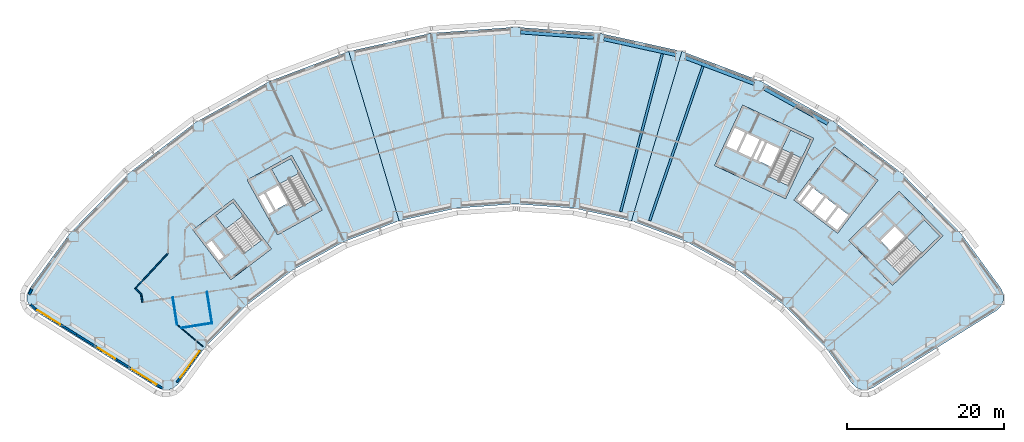
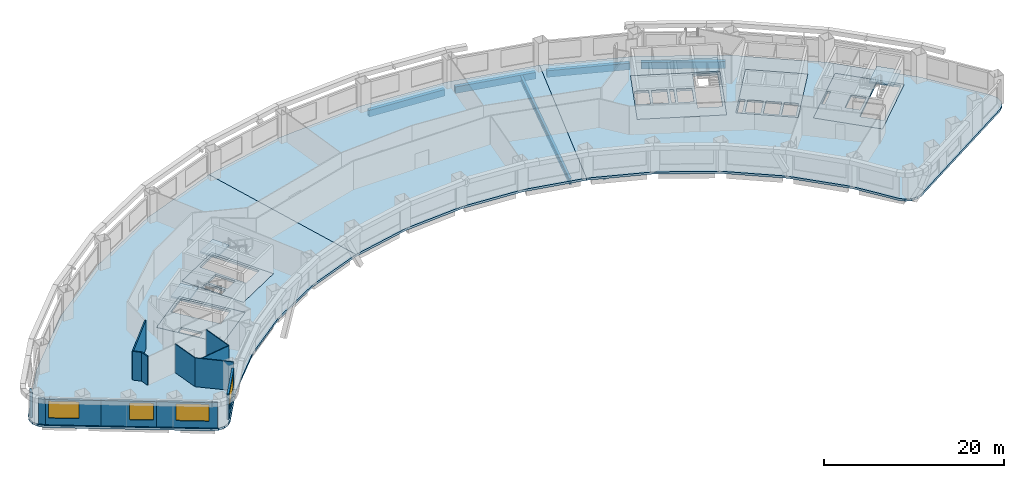
# One storey, part 2 of 14: 13 walls, 12 slabs, 6 beams, 4 windows, 4 openings, 4 elements without a shape of their own.
"""IFC4 building model written with IfcOpenShell, lengths in metres."""

from ifc_helpers import new_model, si_unit, direction, frame, frame_2d, origin, origin_2d, place, context, subcontext, project, spatial, polyline, rectangle, hollow_rectangle, i_section, outline, extrude, material, layer, layer_set, material_profile, profile_set, type_object, element, fill, aggregate, save


model = new_model("IFC4")

# Units and contexts
model_context = context("Model", 3, precision=1e-05, world=origin(), true_north=direction((0.0, 1.0)))
body_context = subcontext(model_context, "Body", "Model", "MODEL_VIEW")
ifc_project = project(units=[si_unit("LENGTHUNIT", "METRE"), si_unit("AREAUNIT", "SQUARE_METRE"), si_unit("VOLUMEUNIT", "CUBIC_METRE"), si_unit("PLANEANGLEUNIT", "RADIAN"), si_unit("MASSUNIT", "GRAM", prefix="KILO")], contexts=[model_context])

# Site, building, storey
site_placement = place(None, origin())
site = spatial("IfcSite", under=ifc_project, at=site_placement, CompositionType="ELEMENT")
building_placement = place(site_placement, origin())
building = spatial("IfcBuilding", under=site, at=building_placement, Name="Tuul Gate Civic Tower", CompositionType="ELEMENT")
storey_placement = place(building_placement, frame((0.0, 0.0, 44.10009765625)))
storey = spatial("IfcBuildingStorey", under=building, at=storey_placement, Name="Level 09", CompositionType="ELEMENT", Elevation=44.10009765625)

# Beams
ifc_material_1 = material(Name="Steel S355", Category="steel")
ifc_material_profile_1 = material_profile(ifc_material_1, i_section(OverallWidth=0.300048828125, OverallDepth=0.800048828125, WebThickness=0.013916015625, FlangeThickness=0.02490234375, at=origin_2d()), Name="PG800x300x14x25")
ifc_profile_set_1 = profile_set([ifc_material_profile_1], Name="Steel S355")
beam_type_1 = type_object("IfcBeamType", Name="STR-FLOOR BEAM-PG800x300x14x25", PredefinedType="BEAM", material=ifc_profile_set_1)
beam_1_placement = place(storey_placement, frame((17.146240234375, -10.189453125, -0.7001953125), z_axis=(0.325486974479, 0.945546524209, 0.0), x_axis=(-0.945546524209, 0.325486974479, 0.0)))
element("IfcBeam", 1, at=beam_1_placement, inside=storey, type_object=beam_type_1, Name="Floor beam", PredefinedType="BEAM", context=body_context, shape_type="SweptSolid", body=[
    extrude(i_section(OverallWidth=0.300048828125, OverallDepth=0.800048828125, WebThickness=0.013916015625, FlangeThickness=0.02490234375, at=origin_2d()), origin(), (0.0, 0.0, 1.0), 20.809326171875),
])
beam_2_placement = place(storey_placement, frame((13.438720703125, -9.04296875, -0.7001953125), z_axis=(0.255004720301, 0.96693980817, 0.0), x_axis=(-0.96693980817, 0.255004720301, 0.0)))
element("IfcBeam", 2, at=beam_2_placement, inside=storey, type_object=beam_type_1, Name="Floor beam", PredefinedType="BEAM", context=body_context, shape_type="SweptSolid", body=[
    extrude(i_section(OverallWidth=0.300048828125, OverallDepth=0.800048828125, WebThickness=0.013916015625, FlangeThickness=0.02490234375, at=origin_2d()), origin(), (0.0, 0.0, 1.0), 20.817626953125),
])
ifc_material_2 = material(Name="Steel S355", Category="steel")
ifc_material_profile_2 = material_profile(ifc_material_2, hollow_rectangle(XDim=0.449951171875, YDim=0.89990234375, WallThickness=0.02490234375, at=origin_2d()), Name="BOX900x450x25")
ifc_profile_set_2 = profile_set([ifc_material_profile_2], Name="Steel S355")
beam_type_2 = type_object("IfcBeamType", Name="STR-SPANDREL BEAM-BOX900x450x25", PredefinedType="BEAM", material=ifc_profile_set_2)
beam_3_placement = place(storey_placement, frame((39.83349609375, 2.191162109375, -0.75), z_axis=(-0.874628488078, 0.484793778676, 0.0), x_axis=(-0.484793778676, -0.874628488078, 0.0)))
element("IfcBeam", 3, at=beam_3_placement, inside=storey, type_object=beam_type_2, Name="Spandrel beam", PredefinedType="BEAM", context=body_context, shape_type="SweptSolid", body=[
    extrude(hollow_rectangle(XDim=0.449951171875, YDim=0.89990234375, WallThickness=0.02490234375, at=origin_2d()), origin(), (0.0, 0.0, 1.0), 9.37646484375),
])
beam_4_placement = place(storey_placement, frame((30.4560546875, 7.281982421875, -0.75), z_axis=(-0.935343306637, 0.353741287849, 0.0), x_axis=(-0.353741287849, -0.935343306637, 0.0)))
element("IfcBeam", 4, at=beam_4_placement, inside=storey, type_object=beam_type_2, Name="Spandrel beam", PredefinedType="BEAM", context=body_context, shape_type="SweptSolid", body=[
    extrude(hollow_rectangle(XDim=0.449951171875, YDim=0.89990234375, WallThickness=0.02490234375, at=origin_2d()), origin(), (0.0, 0.0, 1.0), 9.377197265625),
])
beam_5_placement = place(storey_placement, frame((20.442138671875, 10.968994140625, -0.75), z_axis=(-0.976572630495, 0.215188051174, 0.0), x_axis=(-0.215188051174, -0.976572630495, 0.0)))
element("IfcBeam", 5, at=beam_5_placement, inside=storey, type_object=beam_type_2, Name="Spandrel beam", PredefinedType="BEAM", context=body_context, shape_type="SweptSolid", body=[
    extrude(hollow_rectangle(XDim=0.449951171875, YDim=0.89990234375, WallThickness=0.02490234375, at=origin_2d()), origin(), (0.0, 0.0, 1.0), 9.378173828125),
])
beam_6_placement = place(storey_placement, frame((10.000732421875, 13.173828125, -0.75), z_axis=(-0.997388439542, 0.072223961869, 0.0), x_axis=(-0.072223961869, -0.997388439542, 0.0)))
element("IfcBeam", 6, at=beam_6_placement, inside=storey, type_object=beam_type_2, Name="Spandrel beam", PredefinedType="BEAM", context=body_context, shape_type="SweptSolid", body=[
    extrude(hollow_rectangle(XDim=0.449951171875, YDim=0.89990234375, WallThickness=0.02490234375, at=origin_2d()), origin(), (0.0, 0.0, 1.0), 9.376953125),
])

# Slabs
ifc_material_3 = material(Name="Concrete C40/50", Category="concrete")
ifc_layer_1 = layer(ifc_material_3, 0.300048828125)
ifc_layer_set_1 = layer_set([ifc_layer_1], Name="Concrete C40/50")
slab_type_1 = type_object("IfcSlabType", Name="Core floor slab 300", PredefinedType="FLOOR", material=ifc_layer_set_1)
slab_1_placement = place(storey_placement, frame((0.0, 0.0, -0.300048828125)))
element("IfcSlab", 7, at=slab_1_placement, inside=storey, type_object=slab_type_1, Name="FLOOR SLAB", PredefinedType="FLOOR", context=body_context, shape_type="SweptSolid", body=[
    extrude(outline(polyline([(-31.10009765625, -13.7890625), (-35.946044921875, -7.423828125), (-41.11767578125, -11.361572265625), (-36.271484375, -17.726806640625), (-31.10009765625, -13.7890625)]), holes=[polyline([(-37.19287109375, -14.783203125), (-38.737548828125, -12.75439453125), (-39.45361328125, -13.299560546875), (-37.908935546875, -15.328369140625), (-37.19287109375, -14.783203125)]), polyline([(-32.33935546875, -12.65771484375), (-34.56591796875, -14.352783203125), (-38.229736328125, -9.54052734375), (-36.003173828125, -7.845458984375), (-32.33935546875, -12.65771484375)])]), origin(), (0.0, 0.0, 1.0), 0.300048828125),
])
slab_2_placement = place(storey_placement, frame((0.0, 0.0, -0.300048828125)))
element("IfcSlab", 8, at=slab_2_placement, inside=storey, type_object=slab_type_1, Name="FLOOR SLAB", PredefinedType="FLOOR", context=body_context, shape_type="SweptSolid", body=[
    extrude(outline(polyline([(-24.638916015625, -8.846923828125), (-28.51708984375, -1.849853515625), (-34.2021484375, -5.0009765625), (-30.32421875, -11.998046875), (-24.638916015625, -8.846923828125)]), holes=[polyline([(-29.0185546875, -7.958740234375), (-30.254638671875, -5.728515625), (-31.785400390625, -6.576904296875), (-30.54931640625, -8.80712890625), (-29.0185546875, -7.958740234375)]), polyline([(-30.8115234375, -8.95263671875), (-32.047607421875, -6.72216796875), (-32.8349609375, -7.158447265625), (-31.5986328125, -9.388916015625), (-30.8115234375, -8.95263671875)]), polyline([(-25.702392578125, -7.548828125), (-28.14990234375, -8.905517578125), (-31.08203125, -3.615234375), (-28.63427734375, -2.2587890625), (-25.702392578125, -7.548828125)])]), origin(), (0.0, 0.0, 1.0), 0.300048828125),
])
slab_3_placement = place(storey_placement, frame((0.0, 0.0, -0.300048828125)))
element("IfcSlab", 9, at=slab_3_placement, inside=storey, type_object=slab_type_1, Name="FLOOR SLAB", PredefinedType="FLOOR", context=body_context, shape_type="SweptSolid", body=[
    extrude(outline(polyline([(48.117919921875, -18.43310546875), (54.545166015625, -12.1328125), (48.945068359375, -6.419921875), (42.517822265625, -12.719970703125), (48.117919921875, -18.43310546875)]), holes=[polyline([(47.808837890625, -13.974853515625), (49.6298828125, -12.18994140625), (48.40478515625, -10.940185546875), (46.583984375, -12.72509765625), (47.808837890625, -13.974853515625)]), polyline([(44.93896484375, -11.046875), (46.760009765625, -9.261962890625), (46.514892578125, -9.011962890625), (44.69384765625, -10.797119140625), (44.93896484375, -11.046875)]), polyline([(49.086181640625, -17.062744140625), (47.12744140625, -15.064208984375), (52.160888671875, -10.130126953125), (54.11962890625, -12.128662109375), (49.086181640625, -17.062744140625)])]), origin(), (0.0, 0.0, 1.0), 0.300048828125),
])
slab_4_placement = place(storey_placement, frame((0.0, 0.0, -0.300048828125)))
element("IfcSlab", 10, at=slab_4_placement, inside=storey, type_object=slab_type_1, Name="FLOOR SLAB", PredefinedType="FLOOR", context=body_context, shape_type="SweptSolid", body=[
    extrude(outline(polyline([(34.465087890625, -7.385986328125), (38.056884765625, 0.31787109375), (28.993896484375, 4.543701171875), (25.40185546875, -3.159912109375), (34.465087890625, -7.385986328125)]), holes=[polyline([(32.60888671875, -3.32080078125), (33.6865234375, -1.009765625), (32.1005859375, -0.27001953125), (31.02294921875, -2.581298828125), (32.60888671875, -3.32080078125)]), polyline([(30.0712890625, -2.137451171875), (31.14892578125, 0.173583984375), (29.562744140625, 0.9130859375), (28.4853515625, -1.39794921875), (30.0712890625, -2.137451171875)]), polyline([(30.751220703125, -2.454345703125), (31.82861328125, -0.143310546875), (31.4208984375, 0.046875), (30.34326171875, -2.264404296875), (30.751220703125, -2.454345703125)]), polyline([(28.21337890625, -1.27099609375), (29.291015625, 1.0400390625), (27.8408203125, 1.71630859375), (26.76318359375, -0.594970703125), (28.21337890625, -1.27099609375)]), polyline([(34.889892578125, -5.7626953125), (32.353759765625, -4.580078125), (35.120849609375, 1.354736328125), (37.6572265625, 0.17236328125), (34.889892578125, -5.7626953125)])]), origin(), (0.0, 0.0, 1.0), 0.300048828125),
])
ifc_material_4 = material(Name="Concrete C40/50", Category="concrete")
ifc_layer_2 = layer(ifc_material_4, 0.300048828125)
ifc_layer_set_2 = layer_set([ifc_layer_2], Name="Concrete C40/50")
slab_type_2 = type_object("IfcSlabType", Name="Core floor slab 300 non-bearing", PredefinedType="FLOOR", material=ifc_layer_set_2)
slab_5_placement = place(storey_placement, frame((0.0, 0.0, -0.300048828125)))
element("IfcSlab", 11, at=slab_5_placement, inside=storey, type_object=slab_type_2, Name="FLOOR SLAB", PredefinedType="FLOOR", context=body_context, shape_type="SweptSolid", body=[
    extrude(outline(polyline([(41.10107421875, -11.797119140625), (46.25, -5.033935546875), (40.680908203125, -0.79296875), (35.531982421875, -7.555908203125), (41.10107421875, -11.797119140625)]), holes=[polyline([(41.044189453125, -11.37646484375), (42.497802734375, -9.467041015625), (41.22509765625, -8.49755859375), (39.77099609375, -10.4072265625), (41.044189453125, -11.37646484375)]), polyline([(39.532470703125, -10.225341796875), (40.986328125, -8.31591796875), (39.593994140625, -7.255615234375), (38.14013671875, -9.165283203125), (39.532470703125, -10.225341796875)]), polyline([(37.901611328125, -8.9833984375), (39.35546875, -7.073974609375), (37.963134765625, -6.013671875), (36.50927734375, -7.923095703125), (37.901611328125, -8.9833984375)]), polyline([(36.1796875, -7.860595703125), (37.724609375, -5.831787109375), (37.286865234375, -5.49853515625), (35.7421875, -7.527587890625), (36.1796875, -7.860595703125)])]), origin(), (0.0, 0.0, 1.0), 0.300048828125),
])

# Stair, slab
ifc_material_5 = material(Name="Concrete C40/50", Category="concrete")
stair_type = type_object("IfcStairType", Name="Exit stair", PredefinedType="HALF_TURN_STAIR", material=ifc_material_5)
stair_1_placement = place(storey_placement, origin())
stair_1 = element("IfcStair", 12, at=stair_1_placement, inside=storey, type_object=stair_type, Name="Level 09 ST-1", PredefinedType="HALF_TURN_STAIR")
ifc_material_6 = material(Name="Concrete C40/50", Category="concrete")
ifc_layer_3 = layer(ifc_material_6, 0.199951171875)
ifc_layer_set_3 = layer_set([ifc_layer_3], Name="Concrete C40/50")
slab_type_3 = type_object("IfcSlabType", Name="Exit stair landing", PredefinedType="LANDING", material=ifc_layer_set_3)
slab_6_placement = place(storey_placement, frame((0.0, 0.0, 1.89990234375)))
slab_6 = element("IfcSlab", 13, at=slab_6_placement, type_object=slab_type_3, Name="ST-1 landing 1", PredefinedType="LANDING", context=body_context, shape_type="SweptSolid", body=[
    extrude(outline(polyline([(-34.699462890625, -9.554931640625), (-36.9287109375, -11.252197265625), (-38.23193359375, -9.540283203125), (-36.0029296875, -7.843017578125), (-34.699462890625, -9.554931640625)])), origin(), (0.0, 0.0, 1.0), 0.199951171875),
])
aggregate(stair_1, [slab_6])

stair_2_placement = place(storey_placement, origin())
stair_2 = element("IfcStair", 14, at=stair_2_placement, inside=storey, type_object=stair_type, Name="Level 09 ST-2", PredefinedType="HALF_TURN_STAIR")
slab_7_placement = place(storey_placement, frame((0.0, 0.0, 1.89990234375)))
slab_7 = element("IfcSlab", 15, at=slab_7_placement, type_object=slab_type_3, Name="ST-2 landing 1", PredefinedType="LANDING", context=body_context, shape_type="SweptSolid", body=[
    extrude(outline(polyline([(-27.5908203125, -4.138427734375), (-30.041015625, -5.49658203125), (-31.084228515625, -3.61474609375), (-28.6337890625, -2.256591796875), (-27.5908203125, -4.138427734375)])), origin(), (0.0, 0.0, 1.0), 0.199951171875),
])
aggregate(stair_2, [slab_7])

stair_3_placement = place(storey_placement, origin())
stair_3 = element("IfcStair", 16, at=stair_3_placement, inside=storey, type_object=stair_type, Name="Level 09 ST-3", PredefinedType="HALF_TURN_STAIR")
slab_8_placement = place(storey_placement, frame((0.0, 0.0, 1.89990234375)))
slab_8 = element("IfcSlab", 17, at=slab_8_placement, type_object=slab_type_3, Name="ST-3 landing 1", PredefinedType="LANDING", context=body_context, shape_type="SweptSolid", body=[
    extrude(outline(polyline([(51.871337890625, -14.3349609375), (49.91015625, -12.334228515625), (52.160888671875, -10.1279296875), (54.1220703125, -12.128662109375), (51.871337890625, -14.3349609375)])), origin(), (0.0, 0.0, 1.0), 0.199951171875),
])
aggregate(stair_3, [slab_8])

stair_4_placement = place(storey_placement, origin())
stair_4 = element("IfcStair", 18, at=stair_4_placement, inside=storey, type_object=stair_type, Name="Level 09 ST-4", PredefinedType="HALF_TURN_STAIR")
slab_9_placement = place(storey_placement, frame((0.0, 0.0, 1.89990234375)))
slab_9 = element("IfcSlab", 19, at=slab_9_placement, type_object=slab_type_3, Name="ST-4 landing 1", PredefinedType="LANDING", context=body_context, shape_type="SweptSolid", body=[
    extrude(outline(polyline([(36.538818359375, -2.230224609375), (33.999755859375, -1.046142578125), (35.1201171875, 1.35693359375), (37.659423828125, 0.173095703125), (36.538818359375, -2.230224609375)])), origin(), (0.0, 0.0, 1.0), 0.199951171875),
])
aggregate(stair_4, [slab_9])

# Slabs
ifc_material_7 = material(Name="Concrete C35/45", Category="concrete")
ifc_layer_4 = layer(ifc_material_7, 0.300048828125)
ifc_layer_set_4 = layer_set([ifc_layer_4], Name="Concrete C35/45")
slab_type_4 = type_object("IfcSlabType", Name="STR-FLOOR-SLAB-300", PredefinedType="FLOOR", material=ifc_layer_set_4)
slab_10_placement = place(storey_placement, frame((0.0, 0.0, -0.300048828125)))
element("IfcSlab", 20, at=slab_10_placement, inside=storey, type_object=slab_type_4, Name="Level 09/slab/W", PredefinedType="FLOOR", context=body_context, shape_type="SweptSolid", body=[
    extrude(outline(polyline([(-21.833984375, -12.87109375), (-14.81396484375, -10.216064453125), (-21.248046875, 11.406005859375), (-31.31689453125, 7.597900390625), (-40.73095703125, 2.3798828125), (-49.2958984375, -4.14111328125), (-56.8310546875, -11.827880859375), (-61.910888671875, -18.784912109375), (-62.248046875, -19.528076171875), (-62.260009765625, -20.343017578125), (-61.945068359375, -21.095947265625), (-61.35595703125, -21.659912109375), (-45.6259765625, -31.489990234375), (-44.931884765625, -31.760009765625), (-44.18701171875, -31.757080078125), (-43.4951171875, -31.48193359375), (-42.950927734375, -30.972900390625), (-39.6220703125, -26.4150390625), (-34.368896484375, -21.055908203125), (-28.39794921875, -16.509033203125), (-21.833984375, -12.87109375)]), holes=[polyline([(-31.10009765625, -13.7890625), (-36.27197265625, -17.72705078125), (-41.117919921875, -11.362060546875), (-35.946044921875, -7.424072265625), (-31.10009765625, -13.7890625)]), polyline([(-24.638916015625, -8.846923828125), (-30.323974609375, -11.998046875), (-34.201904296875, -5.0009765625), (-28.51708984375, -1.85009765625), (-24.638916015625, -8.846923828125)])]), origin(), (0.0, 0.0, 1.0), 0.300048828125),
])
slab_11_placement = place(storey_placement, frame((0.0, 0.0, -0.300048828125)))
element("IfcSlab", 21, at=slab_11_placement, inside=storey, type_object=slab_type_4, Name="Level 09/slab/M", PredefinedType="FLOOR", context=body_context, shape_type="SweptSolid", body=[
    extrude(outline(polyline([(14.81396484375, -10.216064453125), (21.248046875, 11.406005859375), (10.736083984375, 13.721923828125), (0.0, 14.5), (-10.736083984375, 13.721923828125), (-21.248046875, 11.406005859375), (-14.81396484375, -10.216064453125), (-7.485107421875, -8.60107421875), (0.0, -8.05908203125), (7.485107421875, -8.60107421875), (14.81396484375, -10.216064453125)])), origin(), (0.0, 0.0, 1.0), 0.300048828125),
])
slab_12_placement = place(storey_placement, frame((0.0, 0.0, -0.300048828125)))
element("IfcSlab", 22, at=slab_12_placement, inside=storey, type_object=slab_type_4, Name="Level 09/slab/E", PredefinedType="FLOOR", context=body_context, shape_type="SweptSolid", body=[
    extrude(outline(polyline([(44.931884765625, -31.760009765625), (45.6259765625, -31.489990234375), (61.35595703125, -21.659912109375), (61.945068359375, -21.095947265625), (62.260009765625, -20.343017578125), (62.248046875, -19.528076171875), (61.910888671875, -18.784912109375), (56.8310546875, -11.827880859375), (49.2958984375, -4.14111328125), (40.73095703125, 2.3798828125), (31.31689453125, 7.597900390625), (21.248046875, 11.406005859375), (14.81396484375, -10.216064453125), (21.833984375, -12.87109375), (28.39794921875, -16.509033203125), (34.368896484375, -21.055908203125), (39.6220703125, -26.4150390625), (42.950927734375, -30.972900390625), (43.4951171875, -31.48193359375), (44.18701171875, -31.757080078125), (44.931884765625, -31.760009765625)]), holes=[polyline([(48.117919921875, -18.43310546875), (42.51806640625, -12.719970703125), (48.945068359375, -6.419921875), (54.544921875, -12.133056640625), (48.117919921875, -18.43310546875)]), polyline([(35.531982421875, -7.555908203125), (40.680908203125, -0.79296875), (46.25, -5.033935546875), (41.10107421875, -11.797119140625), (35.531982421875, -7.555908203125)]), polyline([(25.402099609375, -3.159912109375), (28.993896484375, 4.5439453125), (38.056884765625, 0.318115234375), (34.465087890625, -7.385986328125), (25.402099609375, -3.159912109375)])]), origin(), (0.0, 0.0, 1.0), 0.300048828125),
])

# Walls
ifc_material_8 = material(Name="Gypsum board partition")
ifc_layer_5 = layer(ifc_material_8, 0.14990234375)
ifc_layer_set_5 = layer_set([ifc_layer_5], Name="Gypsum board partition")
wall_type_1 = type_object("IfcWallType", Name="Corridor wall P150", PredefinedType="PARTITIONING", material=ifc_layer_set_5)
wall_1_placement = place(storey_placement, frame((-47.708984375, -19.56640625, 0.0), z_axis=(0.0, 0.0, 1.0), x_axis=(0.156191042766, -0.987726864148, 0.0)))
element("IfcWall", 23, at=wall_1_placement, inside=storey, type_object=wall_type_1, Name="p034", PredefinedType="PARTITIONING", context=body_context, shape_type="SweptSolid", body=[
    extrude(rectangle(XDim=1.04248046875, YDim=0.14990234375, at=frame_2d((0.521240234375, 0.0))), origin(), (0.0, 0.0, 1.0), 3.89990234375),
])
wall_2_placement = place(storey_placement, frame((-48.478515625, -18.843505859375, 0.0), z_axis=(0.0, 0.0, 1.0), x_axis=(0.681511791808, 0.73180713144, 0.0)))
element("IfcWall", 24, at=wall_2_placement, inside=storey, type_object=wall_type_1, Name="p039", PredefinedType="PARTITIONING", context=body_context, shape_type="SweptSolid", body=[
    extrude(rectangle(XDim=6.140380859375, YDim=0.14990234375, at=frame_2d((3.0703125, 0.0))), origin(), (0.0, 0.0, 1.0), 3.89990234375),
])
wall_3_placement = place(storey_placement, frame((-48.478515625, -18.843505859375, 0.0), z_axis=(0.0, 0.0, 1.0), x_axis=(0.731716771698, -0.681608807173, 0.0)))
element("IfcWall", 25, at=wall_3_placement, inside=storey, type_object=wall_type_1, Name="p040", PredefinedType="PARTITIONING", context=body_context, shape_type="SweptSolid", body=[
    extrude(rectangle(XDim=1.042724609375, YDim=0.14990234375, at=frame_2d((0.521484375, 0.0))), origin(), (0.0, 0.0, 1.0), 3.89990234375),
])
ifc_material_9 = material(Name="Precast concrete C40/50", Category="concrete")
ifc_layer_6 = layer(ifc_material_9, 0.25)
ifc_layer_set_6 = layer_set([ifc_layer_6], Name="Precast concrete C40/50")
wall_type_2 = type_object("IfcWallType", Name="External wall", PredefinedType="STANDARD", material=ifc_layer_set_6)
wall_4_placement = place(storey_placement, frame((-61.67626953125, -18.924560546875, 0.0), z_axis=(0.0, 0.0, 1.0), x_axis=(-0.412831515496, -0.910807410934, 0.0)))
element("IfcWall", 26, at=wall_4_placement, inside=storey, type_object=wall_type_2, Name="External wall", PredefinedType="STANDARD", context=body_context, shape_type="SweptSolid", body=[
    extrude(rectangle(XDim=0.7197265625, YDim=0.25, at=frame_2d((0.35986328125, 0.0))), origin(), (0.0, 0.0, 1.0), 3.449951171875),
])
wall_5_placement = place(storey_placement, frame((-61.778076171875, -20.8798828125, 0.0), z_axis=(0.0, 0.0, 1.0), x_axis=(0.722244224905, -0.691638113172, 0.0)))
element("IfcWall", 27, at=wall_5_placement, inside=storey, type_object=wall_type_2, Name="External wall", PredefinedType="STANDARD", context=body_context, shape_type="SweptSolid", body=[
    extrude(rectangle(XDim=0.813720703125, YDim=0.25, at=frame_2d((0.40673828125, 0.0))), origin(), (0.0, 0.0, 1.0), 3.449951171875),
])

# Wall, opening, window
wall_6_placement = place(storey_placement, frame((-61.210693359375, -21.427001953125, 0.0), z_axis=(0.0, 0.0, 1.0), x_axis=(0.848042669488, -0.529927948619, 0.0)))
wall_6 = element("IfcWall", 28, at=wall_6_placement, inside=storey, type_object=wall_type_2, Name="External wall", PredefinedType="STANDARD", context=body_context, shape_type="SweptSolid", body=[
    extrude(rectangle(XDim=6.1826171875, YDim=0.25, at=frame_2d((3.09130859375, 0.0))), origin(), (0.0, 0.0, 1.0), 3.449951171875),
])
opening_1_placement = place(wall_6_placement, frame((0.340087890625, 0.0, 0.89990234375)))
opening_1 = element("IfcOpeningElement", 29, at=opening_1_placement, cuts=wall_6, Name="Opening W32", PredefinedType="OPENING", context=body_context, shape_type="SweptSolid", body=[
    extrude(rectangle(XDim=3.39990234375, YDim=2.300048828125, at=frame_2d((1.699951171875, 1.14990234375))), frame((0.0, 0.135009765625, 0.0), z_axis=(0.0, -1.0, 0.0), x_axis=(1.0, 0.0, 0.0)), (0.0, 0.0, 1.0), 0.27001953125),
])
ifc_material_10 = material(Name="Glass", Category="glass")
window_type_1 = type_object("IfcWindowType", Name="Window 3400 x 2300", PartitioningType="SINGLE_PANEL", PredefinedType="WINDOW", material=ifc_material_10)
window_1_placement = place(opening_1_placement, origin())
window_1 = element("IfcWindow", 30, at=window_1_placement, inside=storey, type_object=window_type_1, Name="Window", OverallHeight=2.300048828125, OverallWidth=3.39990234375, PartitioningType="SINGLE_PANEL", PredefinedType="WINDOW", context=body_context, shape_type="SweptSolid", body=[
    extrude(rectangle(XDim=3.39990234375, YDim=2.300048828125, at=frame_2d((1.699951171875, 1.14990234375))), frame((0.0, 0.030029296875, 0.0), z_axis=(0.0, -1.0, 0.0), x_axis=(1.0, 0.0, 0.0)), (0.0, 0.0, 1.0), 0.06005859375),
])
fill(opening_1, window_1)

wall_7_placement = place(storey_placement, frame((-55.967529296875, -24.703369140625, 0.0), z_axis=(0.0, 0.0, 1.0), x_axis=(0.848053758074, -0.529910203164, 0.0)))
wall_7 = element("IfcWall", 31, at=wall_7_placement, inside=storey, type_object=wall_type_2, Name="External wall", PredefinedType="STANDARD", context=body_context, shape_type="SweptSolid", body=[
    extrude(rectangle(XDim=6.182861328125, YDim=0.25, at=frame_2d((3.09130859375, 0.0))), origin(), (0.0, 0.0, 1.0), 3.449951171875),
])
opening_2_placement = place(wall_7_placement, frame((3.199951171875, 0.0, 0.89990234375)))
opening_2 = element("IfcOpeningElement", 32, at=opening_2_placement, cuts=wall_7, Name="Opening W37", PredefinedType="OPENING", context=body_context, shape_type="SweptSolid", body=[
    extrude(rectangle(XDim=2.64990234375, YDim=2.300048828125, at=frame_2d((1.324951171875, 1.14990234375))), frame((0.0, 0.135009765625, 0.0), z_axis=(0.0, -1.0, 0.0), x_axis=(1.0, 0.0, 0.0)), (0.0, 0.0, 1.0), 0.27001953125),
])
ifc_material_11 = material(Name="Glass", Category="glass")
window_type_2 = type_object("IfcWindowType", Name="Window 2650 x 2300", PartitioningType="SINGLE_PANEL", PredefinedType="WINDOW", material=ifc_material_11)
window_2_placement = place(opening_2_placement, origin())
window_2 = element("IfcWindow", 33, at=window_2_placement, inside=storey, type_object=window_type_2, Name="Window", OverallHeight=2.300048828125, OverallWidth=2.64990234375, PartitioningType="SINGLE_PANEL", PredefinedType="WINDOW", context=body_context, shape_type="SweptSolid", body=[
    extrude(rectangle(XDim=2.64990234375, YDim=2.300048828125, at=frame_2d((1.324951171875, 1.14990234375))), frame((0.0, 0.030029296875, 0.0), z_axis=(0.0, -1.0, 0.0), x_axis=(1.0, 0.0, 0.0)), (0.0, 0.0, 1.0), 0.06005859375),
])
fill(opening_2, window_2)

wall_8_placement = place(storey_placement, frame((-50.72412109375, -27.979736328125, 0.0), z_axis=(0.0, 0.0, 1.0), x_axis=(0.848068815002, -0.529886105707, 0.0)))
wall_8 = element("IfcWall", 34, at=wall_8_placement, inside=storey, type_object=wall_type_2, Name="External wall", PredefinedType="STANDARD", context=body_context, shape_type="SweptSolid", body=[
    extrude(rectangle(XDim=6.807373046875, YDim=0.25, at=frame_2d((3.40380859375, 0.0))), origin(), (0.0, 0.0, 1.0), 3.449951171875),
])
opening_3_placement = place(wall_8_placement, frame((2.1640625, 0.0, 0.89990234375)))
opening_3 = element("IfcOpeningElement", 35, at=opening_3_placement, cuts=wall_8, Name="Opening W21", PredefinedType="OPENING", context=body_context, shape_type="SweptSolid", body=[
    extrude(rectangle(XDim=3.699951171875, YDim=2.300048828125, at=frame_2d((1.85009765625, 1.14990234375))), frame((0.0, 0.135009765625, 0.0), z_axis=(0.0, -1.0, 0.0), x_axis=(1.0, 0.0, 0.0)), (0.0, 0.0, 1.0), 0.27001953125),
])
ifc_material_12 = material(Name="Glass", Category="glass")
window_type_3 = type_object("IfcWindowType", Name="Window W21 3700 x 2300", PartitioningType="SINGLE_PANEL", PredefinedType="WINDOW", material=ifc_material_12)
window_3_placement = place(opening_3_placement, origin())
window_3 = element("IfcWindow", 36, at=window_3_placement, inside=storey, type_object=window_type_3, Name="Window", OverallHeight=2.300048828125, OverallWidth=3.699951171875, PartitioningType="SINGLE_PANEL", PredefinedType="WINDOW", context=body_context, shape_type="SweptSolid", body=[
    extrude(rectangle(XDim=3.699951171875, YDim=2.300048828125, at=frame_2d((1.85009765625, 1.14990234375))), frame((0.0, 0.030029296875, 0.0), z_axis=(0.0, -1.0, 0.0), x_axis=(1.0, 0.0, 0.0)), (0.0, 0.0, 1.0), 0.06005859375),
])
fill(opening_3, window_3)

wall_9_placement = place(storey_placement, frame((-43.1728515625, -30.811279296875, 0.0), z_axis=(0.0, 0.0, 1.0), x_axis=(0.589712900291, 0.807612961282, 0.0)))
wall_9 = element("IfcWall", 37, at=wall_9_placement, inside=storey, type_object=wall_type_2, Name="External wall", PredefinedType="STANDARD", context=body_context, shape_type="SweptSolid", body=[
    extrude(rectangle(XDim=5.120361328125, YDim=0.25, at=frame_2d((2.56005859375, 0.0))), origin(), (0.0, 0.0, 1.0), 3.449951171875),
])
opening_4_placement = place(wall_9_placement, frame((0.75244140625, 0.0, 0.89990234375)))
opening_4 = element("IfcOpeningElement", 38, at=opening_4_placement, cuts=wall_9, Name="Opening W25", PredefinedType="OPENING", context=body_context, shape_type="SweptSolid", body=[
    extrude(rectangle(XDim=4.14990234375, YDim=2.300048828125, at=frame_2d((2.074951171875, 1.14990234375))), frame((0.0, 0.135009765625, 0.0), z_axis=(0.0, -1.0, 0.0), x_axis=(1.0, 0.0, 0.0)), (0.0, 0.0, 1.0), 0.27001953125),
])
ifc_material_13 = material(Name="Glass", Category="glass")
window_type_4 = type_object("IfcWindowType", Name="Window W25 4150 x 2300", PartitioningType="SINGLE_PANEL", PredefinedType="WINDOW", material=ifc_material_13)
window_4_placement = place(opening_4_placement, origin())
window_4 = element("IfcWindow", 39, at=window_4_placement, inside=storey, type_object=window_type_4, Name="Window", OverallHeight=2.300048828125, OverallWidth=4.14990234375, PartitioningType="SINGLE_PANEL", PredefinedType="WINDOW", context=body_context, shape_type="SweptSolid", body=[
    extrude(rectangle(XDim=4.14990234375, YDim=2.300048828125, at=frame_2d((2.074951171875, 1.14990234375))), frame((0.0, 0.030029296875, 0.0), z_axis=(0.0, -1.0, 0.0), x_axis=(1.0, 0.0, 0.0)), (0.0, 0.0, 1.0), 0.06005859375),
])
fill(opening_4, window_4)

# Walls
ifc_material_14 = material(Name="Gypsum board partition")
ifc_layer_7 = layer(ifc_material_14, 0.10009765625)
ifc_layer_set_7 = layer_set([ifc_layer_7], Name="Gypsum board partition")
wall_type_3 = type_object("IfcWallType", Name="Partition P100", PredefinedType="PARTITIONING", material=ifc_layer_set_7)
wall_10_placement = place(storey_placement, frame((-43.68017578125, -19.984619140625, 0.0), z_axis=(0.0, 0.0, 1.0), x_axis=(0.156378411508, -0.987697216972, 0.0)))
element("IfcWall", 40, at=wall_10_placement, inside=storey, type_object=wall_type_3, Name="p032", PredefinedType="PARTITIONING", context=body_context, shape_type="SweptSolid", body=[
    extrude(rectangle(XDim=3.4970703125, YDim=0.10009765625, at=frame_2d((1.74853515625, 0.0))), origin(), (0.0, 0.0, 1.0), 3.89990234375),
])
wall_11_placement = place(storey_placement, frame((-43.13330078125, -23.438720703125, 0.0), z_axis=(0.0, 0.0, 1.0), x_axis=(0.762817389991, -0.646613972574, 0.0)))
element("IfcWall", 41, at=wall_11_placement, inside=storey, type_object=wall_type_3, Name="p033", PredefinedType="PARTITIONING", context=body_context, shape_type="SweptSolid", body=[
    extrude(rectangle(XDim=4.332275390625, YDim=0.10009765625, at=frame_2d((2.166015625, 0.0))), origin(), (0.0, 0.0, 1.0), 3.89990234375),
])
wall_12_placement = place(storey_placement, frame((-39.3134765625, -19.293212890625, 0.0), z_axis=(0.0, 0.0, 1.0), x_axis=(0.15634711078, -0.987702172191, 0.0)))
element("IfcWall", 42, at=wall_12_placement, inside=storey, type_object=wall_type_3, Name="p053", PredefinedType="PARTITIONING", context=body_context, shape_type="SweptSolid", body=[
    extrude(rectangle(XDim=4.010009765625, YDim=0.10009765625, at=frame_2d((2.0048828125, 0.0))), origin(), (0.0, 0.0, 1.0), 3.89990234375),
])
wall_13_placement = place(storey_placement, frame((-42.6171875, -23.876220703125, 0.0), z_axis=(0.0, 0.0, 1.0), x_axis=(0.98769771793, 0.156375247391, 0.0)))
element("IfcWall", 43, at=wall_13_placement, inside=storey, type_object=wall_type_3, Name="p054", PredefinedType="PARTITIONING", context=body_context, shape_type="SweptSolid", body=[
    extrude(rectangle(XDim=3.979736328125, YDim=0.10009765625, at=frame_2d((1.98974609375, 0.0))), origin(), (0.0, 0.0, 1.0), 3.89990234375),
])

save(model, "model.ifc")
